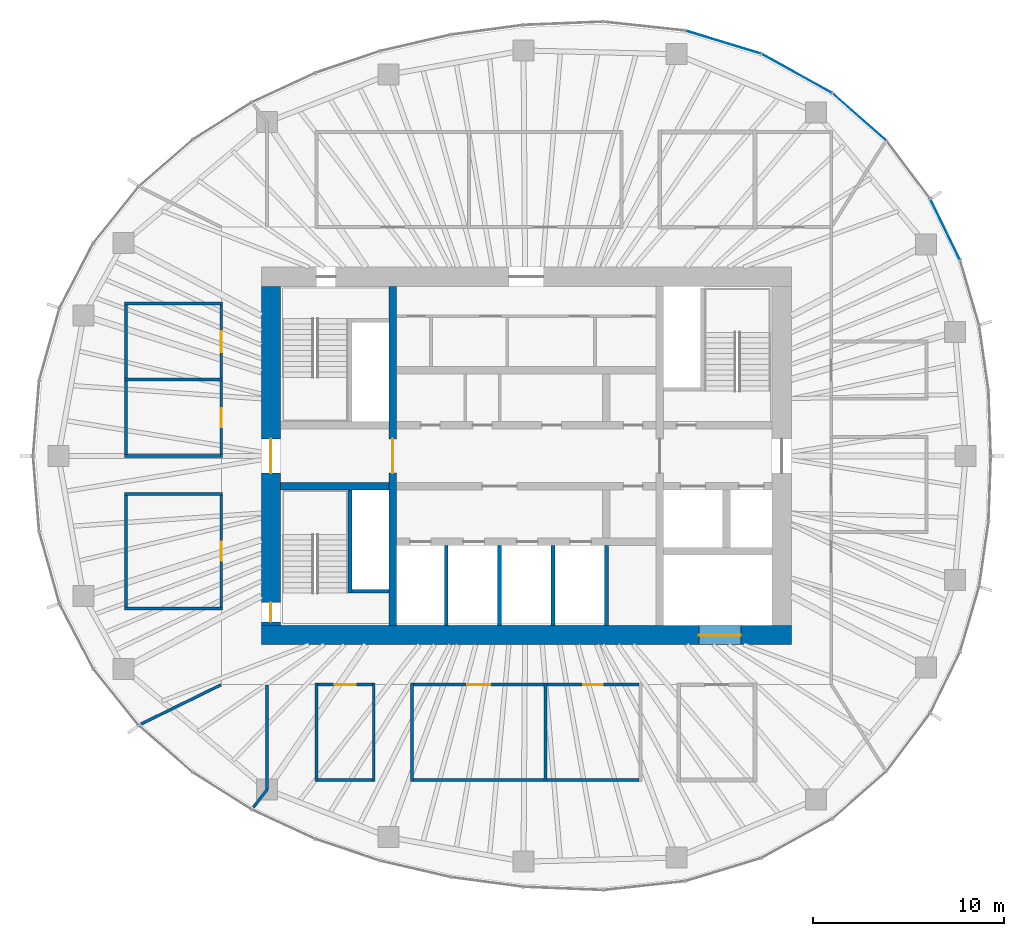
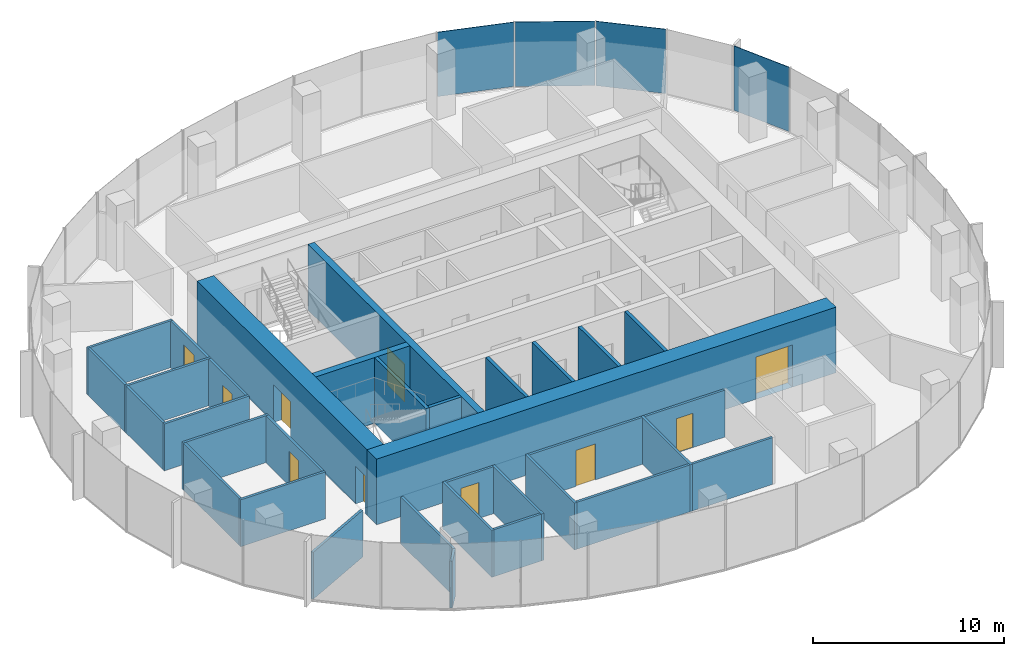
# One storey, part 8 of 12: 34 walls, 10 doors, 4 plates, 10 openings, 3 elements without a shape of their own.
"""IFC4 building model written with IfcOpenShell, lengths in metres."""

from ifc_helpers import new_model, si_unit, direction, frame, frame_2d, origin, origin_2d, place, context, subcontext, project, spatial, rectangle, extrude, material, layer, layer_set, type_object, element, fill, aggregate, save


model = new_model("IFC4")

# Units and contexts
model_context = context("Model", 3, precision=1e-05, world=origin(), true_north=direction((0.0, 1.0)))
body_context = subcontext(model_context, "Body", "Model", "MODEL_VIEW")
ifc_project = project(units=[si_unit("LENGTHUNIT", "METRE"), si_unit("AREAUNIT", "SQUARE_METRE"), si_unit("VOLUMEUNIT", "CUBIC_METRE"), si_unit("PLANEANGLEUNIT", "RADIAN"), si_unit("MASSUNIT", "GRAM", prefix="KILO")], contexts=[model_context])

# Site, building, storey
site_placement = place(None, origin())
site = spatial("IfcSite", under=ifc_project, at=site_placement, CompositionType="ELEMENT")
building_placement = place(site_placement, origin())
building = spatial("IfcBuilding", under=site, at=building_placement, Name="Ghaith Harvest Tower", CompositionType="ELEMENT")
storey_placement = place(building_placement, frame((0.0, 0.0, 300.60009765625)))
storey = spatial("IfcBuildingStorey", under=building, at=storey_placement, Name="L67", CompositionType="ELEMENT", Elevation=300.60009765625)

# Curtain wall, plate
ifc_material_1 = material(Name="Black anodised aluminium and fritted glass", Category="aluminium")
curtain_wall_type = type_object("IfcCurtainWallType", Name="CW-T CURTAIN WALL", PredefinedType="NOTDEFINED", material=ifc_material_1)
curtain_wall_1_placement = place(storey_placement, origin())
curtain_wall_1 = element("IfcCurtainWall", 1, at=curtain_wall_1_placement, inside=storey, type_object=curtain_wall_type, Name="Curtain wall CW-T bay 02 L67", PredefinedType="NOTDEFINED")
ifc_material_2 = material(Name="Glass, dark solar-control fritted double glazed unit", Category="glass")
ifc_layer_1 = layer(ifc_material_2, 0.033935546875)
ifc_layer_set_1 = layer_set([ifc_layer_1], Name="CW-T VISION PANEL")
plate_type = type_object("IfcPlateType", Name="CW-T VISION PANEL", PredefinedType="CURTAIN_PANEL", material=ifc_layer_set_1)
plate_1_placement = place(storey_placement, frame((21.9716796875, 11.878662109375, 0.079833984375), z_axis=(0.0, 0.0, 1.0), x_axis=(-0.437968365148, 0.898990384337, 0.0)))
plate_1 = element("IfcPlate", 2, at=plate_1_placement, type_object=plate_type, Name="CW-T glass unit 2 bay 02 L67", PredefinedType="CURTAIN_PANEL", context=body_context, shape_type="SweptSolid", body=[
    extrude(rectangle(XDim=3.49365234375, YDim=0.033935546875, at=origin_2d()), origin(), (0.0, 0.0, 1.0), 4.1201171875),
])
aggregate(curtain_wall_1, [plate_1])

curtain_wall_2_placement = place(storey_placement, origin())
curtain_wall_2 = element("IfcCurtainWall", 3, at=curtain_wall_2_placement, inside=storey, type_object=curtain_wall_type, Name="Curtain wall CW-T bay 03 L67", PredefinedType="NOTDEFINED")
plate_2_placement = place(storey_placement, frame((17.47509765625, 17.779541015625, 0.079833984375), z_axis=(0.0, 0.0, 1.0), x_axis=(-0.751334532416, 0.659921525941, 0.0)))
plate_2 = element("IfcPlate", 4, at=plate_2_placement, type_object=plate_type, Name="CW-T glass unit 2 bay 03 L67", PredefinedType="CURTAIN_PANEL", context=body_context, shape_type="SweptSolid", body=[
    extrude(rectangle(XDim=3.7158203125, YDim=0.033935546875, at=origin_2d()), origin(), (0.0, 0.0, 1.0), 4.1201171875),
])
aggregate(curtain_wall_2, [plate_2])

# Curtain wall, plates
curtain_wall_3_placement = place(storey_placement, origin())
curtain_wall_3 = element("IfcCurtainWall", 5, at=curtain_wall_3_placement, inside=storey, type_object=curtain_wall_type, Name="Curtain wall CW-T bay 04 L67", PredefinedType="NOTDEFINED")
plate_3_placement = place(storey_placement, frame((14.19189453125, 20.06201171875, 0.079833984375), z_axis=(0.0, 0.0, 1.0), x_axis=(-0.87456402291, 0.484910063653, 0.0)))
plate_3 = element("IfcPlate", 6, at=plate_3_placement, type_object=plate_type, Name="CW-T glass unit 1 bay 04 L67", PredefinedType="CURTAIN_PANEL", context=body_context, shape_type="SweptSolid", body=[
    extrude(rectangle(XDim=4.167724609375, YDim=0.033935546875, at=origin_2d()), origin(), (0.0, 0.0, 1.0), 4.1201171875),
])
plate_4_placement = place(storey_placement, frame((10.337158203125, 21.700439453125, 0.079833984375), z_axis=(0.0, 0.0, 1.0), x_axis=(-0.956587736124, 0.291444511181, 0.0)))
plate_4 = element("IfcPlate", 7, at=plate_4_placement, type_object=plate_type, Name="CW-T glass unit 2 bay 04 L67", PredefinedType="CURTAIN_PANEL", context=body_context, shape_type="SweptSolid", body=[
    extrude(rectangle(XDim=4.095703125, YDim=0.033935546875, at=origin_2d()), origin(), (0.0, 0.0, 1.0), 4.1201171875),
])
aggregate(curtain_wall_3, [plate_3, plate_4])

# Wall, opening, door
ifc_material_3 = material(Name="Concrete C50/60", Category="concrete")
ifc_layer_2 = layer(ifc_material_3, 1.0)
ifc_layer_set_2 = layer_set([ifc_layer_2], Name="CORE WALL CW1000")
wall_type_1 = type_object("IfcWallType", Name="CORE WALL CW1000", PredefinedType="SHEAR", material=ifc_layer_set_2)
wall_1_placement = place(storey_placement, frame((-13.89990234375, -9.39990234375, 0.0), z_axis=(0.0, 0.0, 1.0), x_axis=(1.0, 0.0, 0.0)))
wall_1 = element("IfcWall", 8, at=wall_1_placement, inside=storey, type_object=wall_type_1, Name="Core wall S L67", PredefinedType="SHEAR", context=body_context, shape_type="SweptSolid", body=[
    extrude(rectangle(XDim=27.7998046875, YDim=1.0, at=frame_2d((13.89990234375, 0.0))), origin(), (0.0, 0.0, 1.0), 4.199951171875),
])
opening_1_placement = place(wall_1_placement, frame((22.949951171875, 0.0, 0.0)))
opening_1 = element("IfcOpeningElement", 9, at=opening_1_placement, cuts=wall_1, Name="Opening 67-025", PredefinedType="OPENING", context=body_context, shape_type="SweptSolid", body=[
    extrude(rectangle(XDim=2.199951171875, YDim=2.699951171875, at=frame_2d((1.10009765625, 1.35009765625))), frame((0.0, 0.510009765625, 0.0), z_axis=(0.0, -1.0, 0.0), x_axis=(1.0, 0.0, 0.0)), (0.0, 0.0, 1.0), 1.02001953125),
])
ifc_material_4 = material(Name="Steel fire door", Category="steel")
door_type_1 = type_object("IfcDoorType", Name="LD3 LANDING 2200x2700", OperationType="DOUBLE_DOOR_SLIDING", PredefinedType="DOOR", material=ifc_material_4)
door_1_placement = place(opening_1_placement, origin())
door_1 = element("IfcDoor", 10, at=door_1_placement, inside=storey, type_object=door_type_1, Name="Landing door, goods lift GL1", OperationType="DOUBLE_DOOR_SLIDING", OverallHeight=2.699951171875, OverallWidth=2.199951171875, PredefinedType="DOOR", context=body_context, shape_type="SweptSolid", body=[
    extrude(rectangle(XDim=2.199951171875, YDim=2.699951171875, at=frame_2d((1.10009765625, 1.35009765625))), frame((0.0, 0.02490234375, 0.0), z_axis=(0.0, -1.0, 0.0), x_axis=(1.0, 0.0, 0.0)), (0.0, 0.0, 1.0), 0.050048828125),
])
fill(opening_1, door_1)

# Wall, openings, doors
wall_2_placement = place(storey_placement, frame((-13.39990234375, 8.89990234375, 0.0), z_axis=(0.0, 0.0, 1.0), x_axis=(0.0, -1.0, 0.0)))
wall_2 = element("IfcWall", 11, at=wall_2_placement, inside=storey, type_object=wall_type_1, Name="Core wall W L67", PredefinedType="SHEAR", context=body_context, shape_type="SweptSolid", body=[
    extrude(rectangle(XDim=17.7998046875, YDim=1.0, at=frame_2d((8.89990234375, 0.0))), origin(), (0.0, 0.0, 1.0), 4.199951171875),
])
opening_2_placement = place(wall_2_placement, frame((8.0, 0.0, 0.0)))
opening_2 = element("IfcOpeningElement", 12, at=opening_2_placement, cuts=wall_2, Name="Opening 67-001", PredefinedType="OPENING", context=body_context, shape_type="SweptSolid", body=[
    extrude(rectangle(XDim=1.800048828125, YDim=2.39990234375, at=frame_2d((0.89990234375, 1.199951171875))), frame((0.0, 0.510009765625, 0.0), z_axis=(0.0, -1.0, 0.0), x_axis=(1.0, 0.0, 0.0)), (0.0, 0.0, 1.0), 1.02001953125),
])
opening_3_placement = place(wall_2_placement, frame((16.60009765625, 0.0, 0.0)))
opening_3 = element("IfcOpeningElement", 13, at=opening_3_placement, cuts=wall_2, Name="Opening 67-006", PredefinedType="OPENING", context=body_context, shape_type="SweptSolid", body=[
    extrude(rectangle(XDim=1.0, YDim=2.39990234375, at=frame_2d((0.5, 1.199951171875))), frame((0.0, 0.510009765625, 0.0), z_axis=(0.0, -1.0, 0.0), x_axis=(1.0, 0.0, 0.0)), (0.0, 0.0, 1.0), 1.02001953125),
])
ifc_material_5 = material(Name="Steel fire door", Category="steel")
door_type_2 = type_object("IfcDoorType", Name="D3 FD90 1000x2400", OperationType="SINGLE_SWING_LEFT", PredefinedType="DOOR", material=ifc_material_5)
door_2_placement = place(opening_3_placement, origin())
door_2 = element("IfcDoor", 14, at=door_2_placement, inside=storey, type_object=door_type_2, Name="Stair ST3 door", OperationType="SINGLE_SWING_RIGHT", OverallHeight=2.39990234375, OverallWidth=1.0, PredefinedType="DOOR", context=body_context, shape_type="SweptSolid", body=[
    extrude(rectangle(XDim=1.0, YDim=2.39990234375, at=frame_2d((0.5, 1.199951171875))), frame((0.0, 0.02490234375, 0.0), z_axis=(0.0, -1.0, 0.0), x_axis=(1.0, 0.0, 0.0)), (0.0, 0.0, 1.0), 0.050048828125),
])
fill(opening_3, door_2)
ifc_material_6 = material(Name="Steel fire door", Category="steel")
door_type_3 = type_object("IfcDoorType", Name="D4 FD90 PAIR 1800x2400", OperationType="DOUBLE_DOOR_SINGLE_SWING", PredefinedType="DOOR", material=ifc_material_6)
door_3_placement = place(opening_2_placement, origin())
door_3 = element("IfcDoor", 15, at=door_3_placement, inside=storey, type_object=door_type_3, Name="West lobby doors", OperationType="DOUBLE_DOOR_SINGLE_SWING", OverallHeight=2.39990234375, OverallWidth=1.800048828125, PredefinedType="DOOR", context=body_context, shape_type="SweptSolid", body=[
    extrude(rectangle(XDim=1.800048828125, YDim=2.39990234375, at=frame_2d((0.89990234375, 1.199951171875))), frame((0.0, 0.02490234375, 0.0), z_axis=(0.0, -1.0, 0.0), x_axis=(1.0, 0.0, 0.0)), (0.0, 0.0, 1.0), 0.050048828125),
])
fill(opening_2, door_3)

# Walls
ifc_material_7 = material(Name="Concrete blockwork, 2-hour", Category="masonry")
ifc_layer_3 = layer(ifc_material_7, 0.199951171875)
ifc_layer_set_3 = layer_set([ifc_layer_3], Name="LIFT SHAFT WALL 200")
wall_type_2 = type_object("IfcWallType", Name="LIFT SHAFT WALL 200", PredefinedType="PARTITIONING", material=ifc_layer_set_3)
for number, where, z_axis, x_axis, name in (
    (16, (-4.199951171875, -4.699951171875, 0.0), (0.0, 0.0, 1.0), (0.0, -1.0, 0.0), "Lift shaft wall L67"),
    (17, (-1.39990234375, -4.699951171875, 0.0), (0.0, 0.0, 1.0), (0.0, -1.0, 0.0), "Lift shaft wall L67"),
    (18, (1.39990234375, -4.699951171875, 0.0), (0.0, 0.0, 1.0), (0.0, -1.0, 0.0), "Lift shaft wall L67"),
    (19, (4.199951171875, -4.699951171875, 0.0), (0.0, 0.0, 1.0), (0.0, -1.0, 0.0), "Lift shaft wall L67"),
):
    element("IfcWall", number, at=place(storey_placement, frame(where, z_axis=z_axis, x_axis=x_axis)), inside=storey, type_object=wall_type_2, Name=name, PredefinedType="PARTITIONING", context=body_context, shape_type="SweptSolid", body=[
        extrude(rectangle(XDim=4.199951171875, YDim=0.199951171875, at=frame_2d((2.10009765625, 0.0))), origin(), (0.0, 0.0, 1.0), 4.199951171875),
    ])
ifc_material_8 = material(Name="Gypsum board on steel studs", Category="steel")
ifc_layer_4 = layer(ifc_material_8, 0.14990234375)
ifc_layer_set_4 = layer_set([ifc_layer_4], Name="PARTITION 150")
wall_type_3 = type_object("IfcWallType", Name="PARTITION 150", PredefinedType="PARTITIONING", material=ifc_layer_set_4)
for number, where, z_axis, x_axis, name in (
    (20, (-6.0, -11.925048828125, 0.0), (0.0, 0.0, 1.0), (0.0, -1.0, 0.0), "Partition L67 row S3 cross wall 1"),
    (21, (1.0, -11.925048828125, 0.0), (0.0, 0.0, 1.0), (0.0, -1.0, 0.0), "Partition L67 row S3 cross wall 2"),
):
    element("IfcWall", number, at=place(storey_placement, frame(where, z_axis=z_axis, x_axis=x_axis)), inside=storey, type_object=wall_type_3, Name=name, PredefinedType="PARTITIONING", context=body_context, shape_type="SweptSolid", body=[
        extrude(rectangle(XDim=5.14990234375, YDim=0.14990234375, at=frame_2d((2.574951171875, 0.0))), origin(), (0.0, 0.0, 1.0), 3.0),
    ])

# Wall, opening, door
wall_3_placement = place(storey_placement, frame((-5.925048828125, -12.0, 0.0), z_axis=(0.0, 0.0, 1.0), x_axis=(1.0, 0.0, 0.0)))
wall_3 = element("IfcWall", 22, at=wall_3_placement, inside=storey, type_object=wall_type_3, Name="Partition L67-05", PredefinedType="PARTITIONING", context=body_context, shape_type="SweptSolid", body=[
    extrude(rectangle(XDim=6.85009765625, YDim=0.14990234375, at=frame_2d((3.425048828125, 0.0))), origin(), (0.0, 0.0, 1.0), 3.0),
])
opening_4_placement = place(wall_3_placement, frame((2.824951171875, 0.0, 0.0)))
opening_4 = element("IfcOpeningElement", 23, at=opening_4_placement, cuts=wall_3, Name="Opening 67-030", PredefinedType="OPENING", context=body_context, shape_type="SweptSolid", body=[
    extrude(rectangle(XDim=1.199951171875, YDim=2.300048828125, at=frame_2d((0.60009765625, 1.14990234375))), frame((0.0, 0.0849609375, 0.0), z_axis=(0.0, -1.0, 0.0), x_axis=(1.0, 0.0, 0.0)), (0.0, 0.0, 1.0), 0.169921875),
])
ifc_material_9 = material(Name="Timber door with vision panel", Category="wood")
door_type_4 = type_object("IfcDoorType", Name="D15 LABORATORY 1200x2300", OperationType="SINGLE_SWING_LEFT", PredefinedType="DOOR", material=ifc_material_9)
door_4_placement = place(opening_4_placement, origin())
door_4 = element("IfcDoor", 24, at=door_4_placement, inside=storey, type_object=door_type_4, Name="Crop health laboratory door", OperationType="SINGLE_SWING_LEFT", OverallHeight=2.300048828125, OverallWidth=1.199951171875, PredefinedType="DOOR", context=body_context, shape_type="SweptSolid", body=[
    extrude(rectangle(XDim=1.199951171875, YDim=2.300048828125, at=frame_2d((0.60009765625, 1.14990234375))), frame((0.0, 0.02490234375, 0.0), z_axis=(0.0, -1.0, 0.0), x_axis=(1.0, 0.0, 0.0)), (0.0, 0.0, 1.0), 0.050048828125),
])
fill(opening_4, door_4)

# Wall
wall_4_placement = place(storey_placement, frame((-5.925048828125, -17.0, 0.0), z_axis=(0.0, 0.0, 1.0), x_axis=(1.0, 0.0, 0.0)))
element("IfcWall", 25, at=wall_4_placement, inside=storey, type_object=wall_type_3, Name="Partition L67-05", PredefinedType="PARTITIONING", context=body_context, shape_type="SweptSolid", body=[
    extrude(rectangle(XDim=6.85009765625, YDim=0.14990234375, at=frame_2d((3.425048828125, 0.0))), origin(), (0.0, 0.0, 1.0), 3.0),
])

# Wall, opening, door
wall_5_placement = place(storey_placement, frame((1.074951171875, -12.0, 0.0), z_axis=(0.0, 0.0, 1.0), x_axis=(1.0, 0.0, 0.0)))
wall_5 = element("IfcWall", 26, at=wall_5_placement, inside=storey, type_object=wall_type_3, Name="Partition L67-06", PredefinedType="PARTITIONING", context=body_context, shape_type="SweptSolid", body=[
    extrude(rectangle(XDim=4.85009765625, YDim=0.14990234375, at=frame_2d((2.425048828125, 0.0))), origin(), (0.0, 0.0, 1.0), 3.0),
])
opening_5_placement = place(wall_5_placement, frame((1.925048828125, 0.0, 0.0)))
opening_5 = element("IfcOpeningElement", 27, at=opening_5_placement, cuts=wall_5, Name="Opening 67-031", PredefinedType="OPENING", context=body_context, shape_type="SweptSolid", body=[
    extrude(rectangle(XDim=1.0, YDim=2.199951171875, at=frame_2d((0.5, 1.10009765625))), frame((0.0, 0.0849609375, 0.0), z_axis=(0.0, -1.0, 0.0), x_axis=(1.0, 0.0, 0.0)), (0.0, 0.0, 1.0), 0.169921875),
])
ifc_material_10 = material(Name="Timber door", Category="wood")
door_type_5 = type_object("IfcDoorType", Name="D1 SINGLE 1000x2200", OperationType="SINGLE_SWING_LEFT", PredefinedType="DOOR", material=ifc_material_10)
door_5_placement = place(opening_5_placement, origin())
door_5 = element("IfcDoor", 28, at=door_5_placement, inside=storey, type_object=door_type_5, Name="Potting room door", OperationType="SINGLE_SWING_LEFT", OverallHeight=2.199951171875, OverallWidth=1.0, PredefinedType="DOOR", context=body_context, shape_type="SweptSolid", body=[
    extrude(rectangle(XDim=1.0, YDim=2.199951171875, at=frame_2d((0.5, 1.10009765625))), frame((0.0, 0.02490234375, 0.0), z_axis=(0.0, -1.0, 0.0), x_axis=(1.0, 0.0, 0.0)), (0.0, 0.0, 1.0), 0.050048828125),
])
fill(opening_5, door_5)

# Walls
wall_6_placement = place(storey_placement, frame((1.074951171875, -17.0, 0.0), z_axis=(0.0, 0.0, 1.0), x_axis=(1.0, 0.0, 0.0)))
element("IfcWall", 29, at=wall_6_placement, inside=storey, type_object=wall_type_3, Name="Partition L67-06", PredefinedType="PARTITIONING", context=body_context, shape_type="SweptSolid", body=[
    extrude(rectangle(XDim=4.85009765625, YDim=0.14990234375, at=frame_2d((2.425048828125, 0.0))), origin(), (0.0, 0.0, 1.0), 3.0),
])
for number, where, z_axis, x_axis, name in (
    (30, (-15.925048828125, -8.0, 0.0), (0.0, 0.0, 1.0), (-1.0, 0.0, 0.0), "Partition L67 row W5 cross wall 1"),
    (31, (-15.925048828125, -2.0, 0.0), (0.0, 0.0, 1.0), (-1.0, 0.0, 0.0), "Partition L67 row W5 cross wall 2"),
):
    element("IfcWall", number, at=place(storey_placement, frame(where, z_axis=z_axis, x_axis=x_axis)), inside=storey, type_object=wall_type_3, Name=name, PredefinedType="PARTITIONING", context=body_context, shape_type="SweptSolid", body=[
        extrude(rectangle(XDim=5.14990234375, YDim=0.14990234375, at=frame_2d((2.574951171875, 0.0))), origin(), (0.0, 0.0, 1.0), 3.0),
    ])

# Wall, opening, door
wall_7_placement = place(storey_placement, frame((-16.0, -7.925048828125, 0.0), z_axis=(0.0, 0.0, 1.0), x_axis=(0.0, 1.0, 0.0)))
wall_7 = element("IfcWall", 32, at=wall_7_placement, inside=storey, type_object=wall_type_3, Name="Partition L67-08", PredefinedType="PARTITIONING", context=body_context, shape_type="SweptSolid", body=[
    extrude(rectangle(XDim=5.85009765625, YDim=0.14990234375, at=frame_2d((2.925048828125, 0.0))), origin(), (0.0, 0.0, 1.0), 3.0),
])
opening_6_placement = place(wall_7_placement, frame((2.425048828125, 0.0, 0.0)))
opening_6 = element("IfcOpeningElement", 33, at=opening_6_placement, cuts=wall_7, Name="Opening 67-033", PredefinedType="OPENING", context=body_context, shape_type="SweptSolid", body=[
    extrude(rectangle(XDim=1.0, YDim=2.199951171875, at=frame_2d((0.5, 1.10009765625))), frame((0.0, 0.0849609375, 0.0), z_axis=(0.0, -1.0, 0.0), x_axis=(1.0, 0.0, 0.0)), (0.0, 0.0, 1.0), 0.169921875),
])
door_6_placement = place(opening_6_placement, origin())
door_6 = element("IfcDoor", 34, at=door_6_placement, inside=storey, type_object=door_type_5, Name="Potting room door", OperationType="SINGLE_SWING_LEFT", OverallHeight=2.199951171875, OverallWidth=1.0, PredefinedType="DOOR", context=body_context, shape_type="SweptSolid", body=[
    extrude(rectangle(XDim=1.0, YDim=2.199951171875, at=frame_2d((0.5, 1.10009765625))), frame((0.0, 0.02490234375, 0.0), z_axis=(0.0, -1.0, 0.0), x_axis=(1.0, 0.0, 0.0)), (0.0, 0.0, 1.0), 0.050048828125),
])
fill(opening_6, door_6)

# Walls
wall_8_placement = place(storey_placement, frame((-21.0, -7.925048828125, 0.0), z_axis=(0.0, 0.0, 1.0), x_axis=(0.0, 1.0, 0.0)))
element("IfcWall", 35, at=wall_8_placement, inside=storey, type_object=wall_type_3, Name="Partition L67-08", PredefinedType="PARTITIONING", context=body_context, shape_type="SweptSolid", body=[
    extrude(rectangle(XDim=5.85009765625, YDim=0.14990234375, at=frame_2d((2.925048828125, 0.0))), origin(), (0.0, 0.0, 1.0), 3.0),
])
for number, where, z_axis, x_axis, name in (
    (36, (-11.0, -11.925048828125, 0.0), (0.0, 0.0, 1.0), (0.0, -1.0, 0.0), "Partition L67 row S7 cross wall 1"),
    (37, (-8.0, -11.925048828125, 0.0), (0.0, 0.0, 1.0), (0.0, -1.0, 0.0), "Partition L67 row S7 cross wall 2"),
):
    element("IfcWall", number, at=place(storey_placement, frame(where, z_axis=z_axis, x_axis=x_axis)), inside=storey, type_object=wall_type_3, Name=name, PredefinedType="PARTITIONING", context=body_context, shape_type="SweptSolid", body=[
        extrude(rectangle(XDim=5.14990234375, YDim=0.14990234375, at=frame_2d((2.574951171875, 0.0))), origin(), (0.0, 0.0, 1.0), 3.0),
    ])

# Wall, opening, door
wall_9_placement = place(storey_placement, frame((-10.925048828125, -12.0, 0.0), z_axis=(0.0, 0.0, 1.0), x_axis=(1.0, 0.0, 0.0)))
wall_9 = element("IfcWall", 38, at=wall_9_placement, inside=storey, type_object=wall_type_3, Name="Partition L67-10", PredefinedType="PARTITIONING", context=body_context, shape_type="SweptSolid", body=[
    extrude(rectangle(XDim=2.85009765625, YDim=0.14990234375, at=frame_2d((1.425048828125, 0.0))), origin(), (0.0, 0.0, 1.0), 3.0),
])
opening_7_placement = place(wall_9_placement, frame((0.875, 0.0, 0.0)))
opening_7 = element("IfcOpeningElement", 39, at=opening_7_placement, cuts=wall_9, Name="Opening 67-035", PredefinedType="OPENING", context=body_context, shape_type="SweptSolid", body=[
    extrude(rectangle(XDim=1.10009765625, YDim=2.300048828125, at=frame_2d((0.550048828125, 1.14990234375))), frame((0.0, 0.0849609375, 0.0), z_axis=(0.0, -1.0, 0.0), x_axis=(1.0, 0.0, 0.0)), (0.0, 0.0, 1.0), 0.169921875),
])
ifc_material_11 = material(Name="Timber-framed glazed door", Category="wood")
door_type_6 = type_object("IfcDoorType", Name="D12 GLAZED OFFICE 1100x2300", OperationType="SINGLE_SWING_LEFT", PredefinedType="DOOR", material=ifc_material_11)
door_7_placement = place(opening_7_placement, origin())
door_7 = element("IfcDoor", 40, at=door_7_placement, inside=storey, type_object=door_type_6, Name="Office door", OperationType="SINGLE_SWING_LEFT", OverallHeight=2.300048828125, OverallWidth=1.10009765625, PredefinedType="DOOR", context=body_context, shape_type="SweptSolid", body=[
    extrude(rectangle(XDim=1.10009765625, YDim=2.300048828125, at=frame_2d((0.550048828125, 1.14990234375))), frame((0.0, 0.02490234375, 0.0), z_axis=(0.0, -1.0, 0.0), x_axis=(1.0, 0.0, 0.0)), (0.0, 0.0, 1.0), 0.050048828125),
])
fill(opening_7, door_7)

# Walls
wall_10_placement = place(storey_placement, frame((-10.925048828125, -17.0, 0.0), z_axis=(0.0, 0.0, 1.0), x_axis=(1.0, 0.0, 0.0)))
element("IfcWall", 41, at=wall_10_placement, inside=storey, type_object=wall_type_3, Name="Partition L67-10", PredefinedType="PARTITIONING", context=body_context, shape_type="SweptSolid", body=[
    extrude(rectangle(XDim=2.85009765625, YDim=0.14990234375, at=frame_2d((1.425048828125, 0.0))), origin(), (0.0, 0.0, 1.0), 3.0),
])
for number, where, z_axis, x_axis, name in (
    (42, (-15.925048828125, 0.0, 0.0), (0.0, 0.0, 1.0), (-1.0, 0.0, 0.0), "Partition L67 row W9 cross wall 1"),
    (43, (-15.925048828125, 4.0, 0.0), (0.0, 0.0, 1.0), (-1.0, 0.0, 0.0), "Partition L67 row W9 cross wall 2"),
    (44, (-15.925048828125, 8.0, 0.0), (0.0, 0.0, 1.0), (-1.0, 0.0, 0.0), "Partition L67 row W9 cross wall 3"),
):
    element("IfcWall", number, at=place(storey_placement, frame(where, z_axis=z_axis, x_axis=x_axis)), inside=storey, type_object=wall_type_3, Name=name, PredefinedType="PARTITIONING", context=body_context, shape_type="SweptSolid", body=[
        extrude(rectangle(XDim=5.14990234375, YDim=0.14990234375, at=frame_2d((2.574951171875, 0.0))), origin(), (0.0, 0.0, 1.0), 3.0),
    ])

# Wall, opening, door
wall_11_placement = place(storey_placement, frame((-16.0, 0.074951171875, 0.0), z_axis=(0.0, 0.0, 1.0), x_axis=(0.0, 1.0, 0.0)))
wall_11 = element("IfcWall", 45, at=wall_11_placement, inside=storey, type_object=wall_type_3, Name="Partition L67-12", PredefinedType="PARTITIONING", context=body_context, shape_type="SweptSolid", body=[
    extrude(rectangle(XDim=3.85009765625, YDim=0.14990234375, at=frame_2d((1.925048828125, 0.0))), origin(), (0.0, 0.0, 1.0), 3.0),
])
opening_8_placement = place(wall_11_placement, frame((1.425048828125, 0.0, 0.0)))
opening_8 = element("IfcOpeningElement", 46, at=opening_8_placement, cuts=wall_11, Name="Opening 67-037", PredefinedType="OPENING", context=body_context, shape_type="SweptSolid", body=[
    extrude(rectangle(XDim=1.0, YDim=2.199951171875, at=frame_2d((0.5, 1.10009765625))), frame((0.0, 0.0849609375, 0.0), z_axis=(0.0, -1.0, 0.0), x_axis=(1.0, 0.0, 0.0)), (0.0, 0.0, 1.0), 0.169921875),
])
door_8_placement = place(opening_8_placement, origin())
door_8 = element("IfcDoor", 47, at=door_8_placement, inside=storey, type_object=door_type_5, Name="Growing media store door", OperationType="SINGLE_SWING_LEFT", OverallHeight=2.199951171875, OverallWidth=1.0, PredefinedType="DOOR", context=body_context, shape_type="SweptSolid", body=[
    extrude(rectangle(XDim=1.0, YDim=2.199951171875, at=frame_2d((0.5, 1.10009765625))), frame((0.0, 0.02490234375, 0.0), z_axis=(0.0, -1.0, 0.0), x_axis=(1.0, 0.0, 0.0)), (0.0, 0.0, 1.0), 0.050048828125),
])
fill(opening_8, door_8)

# Wall
wall_12_placement = place(storey_placement, frame((-21.0, 0.074951171875, 0.0), z_axis=(0.0, 0.0, 1.0), x_axis=(0.0, 1.0, 0.0)))
element("IfcWall", 48, at=wall_12_placement, inside=storey, type_object=wall_type_3, Name="Partition L67-12", PredefinedType="PARTITIONING", context=body_context, shape_type="SweptSolid", body=[
    extrude(rectangle(XDim=3.85009765625, YDim=0.14990234375, at=frame_2d((1.925048828125, 0.0))), origin(), (0.0, 0.0, 1.0), 3.0),
])

# Wall, opening, door
wall_13_placement = place(storey_placement, frame((-16.0, 4.074951171875, 0.0), z_axis=(0.0, 0.0, 1.0), x_axis=(0.0, 1.0, 0.0)))
wall_13 = element("IfcWall", 49, at=wall_13_placement, inside=storey, type_object=wall_type_3, Name="Partition L67-13", PredefinedType="PARTITIONING", context=body_context, shape_type="SweptSolid", body=[
    extrude(rectangle(XDim=3.85009765625, YDim=0.14990234375, at=frame_2d((1.925048828125, 0.0))), origin(), (0.0, 0.0, 1.0), 3.0),
])
opening_9_placement = place(wall_13_placement, frame((1.375, 0.0, 0.0)))
opening_9 = element("IfcOpeningElement", 50, at=opening_9_placement, cuts=wall_13, Name="Opening 67-038", PredefinedType="OPENING", context=body_context, shape_type="SweptSolid", body=[
    extrude(rectangle(XDim=1.10009765625, YDim=2.300048828125, at=frame_2d((0.550048828125, 1.14990234375))), frame((0.0, 0.0849609375, 0.0), z_axis=(0.0, -1.0, 0.0), x_axis=(1.0, 0.0, 0.0)), (0.0, 0.0, 1.0), 0.169921875),
])
door_9_placement = place(opening_9_placement, origin())
door_9 = element("IfcDoor", 51, at=door_9_placement, inside=storey, type_object=door_type_6, Name="Crop office door", OperationType="SINGLE_SWING_LEFT", OverallHeight=2.300048828125, OverallWidth=1.10009765625, PredefinedType="DOOR", context=body_context, shape_type="SweptSolid", body=[
    extrude(rectangle(XDim=1.10009765625, YDim=2.300048828125, at=frame_2d((0.550048828125, 1.14990234375))), frame((0.0, 0.02490234375, 0.0), z_axis=(0.0, -1.0, 0.0), x_axis=(1.0, 0.0, 0.0)), (0.0, 0.0, 1.0), 0.050048828125),
])
fill(opening_9, door_9)

# Walls
wall_14_placement = place(storey_placement, frame((-21.0, 4.074951171875, 0.0), z_axis=(0.0, 0.0, 1.0), x_axis=(0.0, 1.0, 0.0)))
element("IfcWall", 52, at=wall_14_placement, inside=storey, type_object=wall_type_3, Name="Partition L67-13", PredefinedType="PARTITIONING", context=body_context, shape_type="SweptSolid", body=[
    extrude(rectangle(XDim=3.85009765625, YDim=0.14990234375, at=frame_2d((1.925048828125, 0.0))), origin(), (0.0, 0.0, 1.0), 3.0),
])
wall_15_placement = place(storey_placement, frame((-16.017822265625, -12.0087890625, 0.0), z_axis=(0.0, 0.0, 1.0), x_axis=(-0.897771840996, -0.440460805879, 0.0)))
element("IfcWall", 53, at=wall_15_placement, inside=storey, type_object=wall_type_3, Name="Partition L67 zone division", PredefinedType="PARTITIONING", context=body_context, shape_type="SweptSolid", body=[
    extrude(rectangle(XDim=4.66552734375, YDim=0.14990234375, at=frame_2d((2.332763671875, 0.0))), origin(), (0.0, 0.0, 1.0), 3.0),
])
wall_16_placement = place(storey_placement, frame((-13.594970703125, -12.02001953125, 0.0), z_axis=(0.0, 0.0, 1.0), x_axis=(0.0, -1.0, 0.0)))
element("IfcWall", 54, at=wall_16_placement, inside=storey, type_object=wall_type_3, Name="Partition L67 zone division", PredefinedType="PARTITIONING", context=body_context, shape_type="SweptSolid", body=[
    extrude(rectangle(XDim=5.48486328125, YDim=0.14990234375, at=frame_2d((2.742431640625, 0.0))), origin(), (0.0, 0.0, 1.0), 3.0),
])
wall_17_placement = place(storey_placement, frame((-13.594970703125, -17.5048828125, 0.0), z_axis=(0.0, 0.0, 1.0), x_axis=(-0.61332442804, -0.789831086986, 0.0)))
element("IfcWall", 55, at=wall_17_placement, inside=storey, type_object=wall_type_3, Name="Partition L67 zone division", PredefinedType="PARTITIONING", context=body_context, shape_type="SweptSolid", body=[
    extrude(rectangle(XDim=1.179931640625, YDim=0.14990234375, at=frame_2d((0.58984375, 0.0))), origin(), (0.0, 0.0, 1.0), 3.0),
])

# Wall, opening, door
ifc_material_12 = material(Name="Concrete C70/85", Category="concrete")
ifc_layer_5 = layer(ifc_material_12, 0.39990234375)
ifc_layer_set_5 = layer_set([ifc_layer_5], Name="SHAFT WALL 400")
wall_type_4 = type_object("IfcWallType", Name="SHAFT WALL 400", PredefinedType="SHEAR", material=ifc_layer_set_5)
wall_18_placement = place(storey_placement, frame((-7.0, -8.89990234375, 0.0), z_axis=(0.0, 0.0, 1.0), x_axis=(0.0, 1.0, 0.0)))
wall_18 = element("IfcWall", 56, at=wall_18_placement, inside=storey, type_object=wall_type_4, Name="Shaft wall W7W L67", PredefinedType="SHEAR", context=body_context, shape_type="SweptSolid", body=[
    extrude(rectangle(XDim=17.7998046875, YDim=0.39990234375, at=frame_2d((8.89990234375, 0.0))), origin(), (0.0, 0.0, 1.0), 4.199951171875),
])
opening_10_placement = place(wall_18_placement, frame((8.0, 0.0, 0.0)))
opening_10 = element("IfcOpeningElement", 57, at=opening_10_placement, cuts=wall_18, Name="Opening 67-003", PredefinedType="OPENING", context=body_context, shape_type="SweptSolid", body=[
    extrude(rectangle(XDim=1.800048828125, YDim=2.39990234375, at=frame_2d((0.89990234375, 1.199951171875))), frame((0.0, 0.2099609375, 0.0), z_axis=(0.0, -1.0, 0.0), x_axis=(1.0, 0.0, 0.0)), (0.0, 0.0, 1.0), 0.419921875),
])
door_10_placement = place(opening_10_placement, origin())
door_10 = element("IfcDoor", 58, at=door_10_placement, inside=storey, type_object=door_type_3, Name="Lift lobby doors, west", OperationType="DOUBLE_DOOR_SINGLE_SWING", OverallHeight=2.39990234375, OverallWidth=1.800048828125, PredefinedType="DOOR", context=body_context, shape_type="SweptSolid", body=[
    extrude(rectangle(XDim=1.800048828125, YDim=2.39990234375, at=frame_2d((0.89990234375, 1.199951171875))), frame((0.0, 0.02490234375, 0.0), z_axis=(0.0, -1.0, 0.0), x_axis=(1.0, 0.0, 0.0)), (0.0, 0.0, 1.0), 0.050048828125),
])
fill(opening_10, door_10)

# Walls
wall_19_placement = place(storey_placement, frame((-12.89990234375, -1.60009765625, 0.0), z_axis=(0.0, 0.0, 1.0), x_axis=(1.0, 0.0, 0.0)))
element("IfcWall", 59, at=wall_19_placement, inside=storey, type_object=wall_type_4, Name="Shaft wall WS L67", PredefinedType="SHEAR", context=body_context, shape_type="SweptSolid", body=[
    extrude(rectangle(XDim=5.699951171875, YDim=0.39990234375, at=frame_2d((2.85009765625, 0.0))), origin(), (0.0, 0.0, 1.0), 4.199951171875),
])
ifc_material_13 = material(Name="Concrete C40/50", Category="concrete")
ifc_layer_6 = layer(ifc_material_13, 0.199951171875)
ifc_layer_set_6 = layer_set([ifc_layer_6], Name="STAIR SPINE WALL RC200")
wall_type_5 = type_object("IfcWallType", Name="STAIR SPINE WALL RC200", PredefinedType="SOLIDWALL", material=ifc_layer_set_6)
wall_20_placement = place(storey_placement, frame((-9.25, -7.199951171875, 0.0), z_axis=(0.0, 0.0, 1.0), x_axis=(0.0, 1.0, 0.0)))
element("IfcWall", 60, at=wall_20_placement, inside=storey, type_object=wall_type_5, Name="Stair ST3 spine wall L67", PredefinedType="SOLIDWALL", context=body_context, shape_type="SweptSolid", body=[
    extrude(rectangle(XDim=5.39990234375, YDim=0.199951171875, at=frame_2d((2.699951171875, 0.0))), origin(), (0.0, 0.0, 1.0), 4.199951171875),
])
wall_21_placement = place(storey_placement, frame((-9.14990234375, -7.10009765625, 0.0), z_axis=(0.0, 0.0, 1.0), x_axis=(1.0, 0.0, 0.0)))
element("IfcWall", 61, at=wall_21_placement, inside=storey, type_object=wall_type_5, Name="Stair ST3 spine wall return L67", PredefinedType="SOLIDWALL", context=body_context, shape_type="SweptSolid", body=[
    extrude(rectangle(XDim=1.949951171875, YDim=0.199951171875, at=frame_2d((0.97509765625, 0.0))), origin(), (0.0, 0.0, 1.0), 4.199951171875),
])

save(model, "model.ifc")
